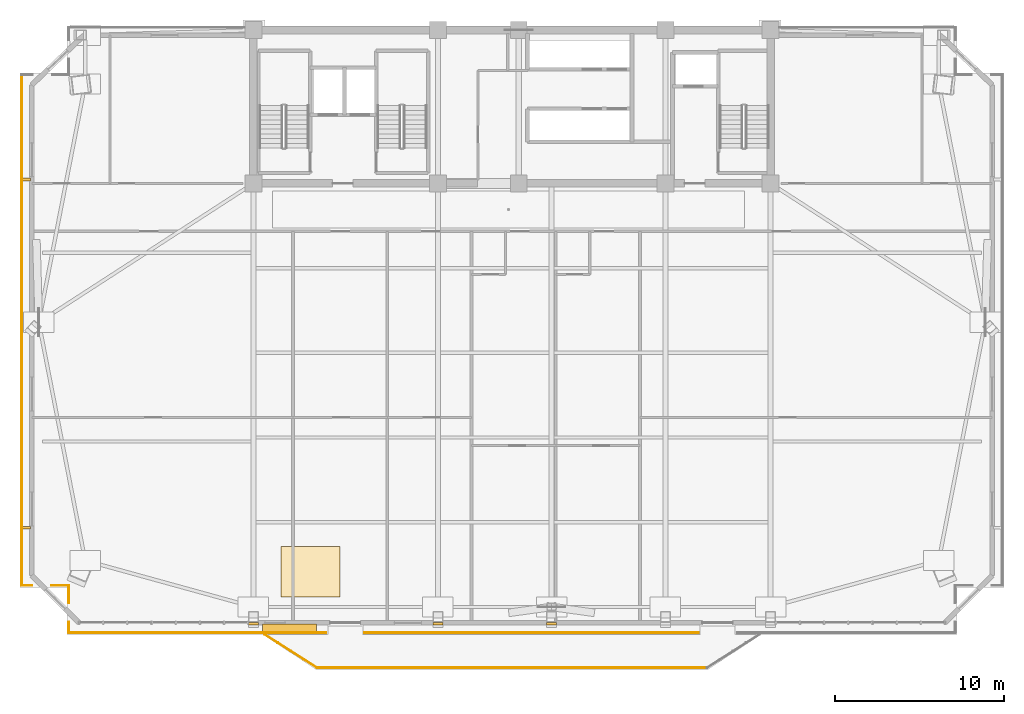
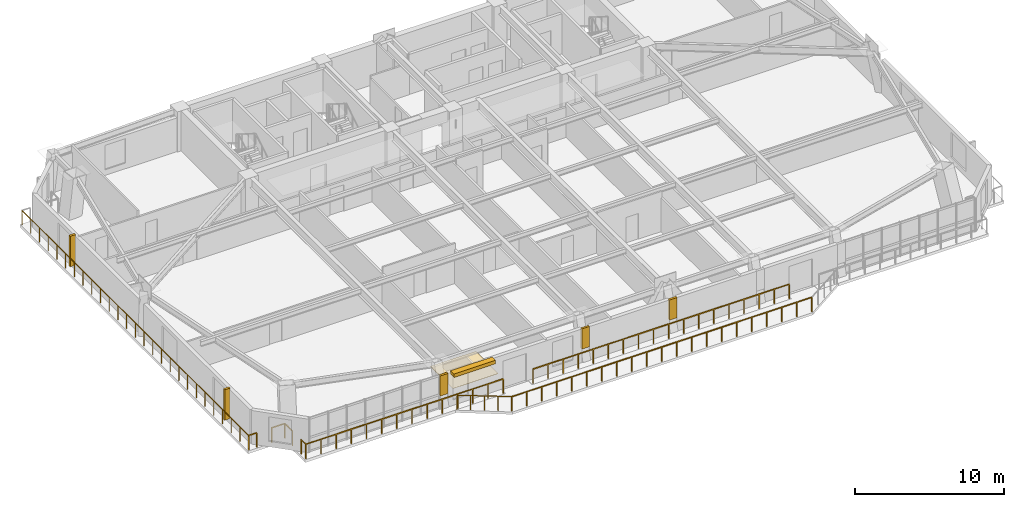
# One storey, part 12 of 16: 9 railings, 4 coverings, 3 shading devices.
"""IFC4 building model written with IfcOpenShell, lengths in metres."""

from ifc_helpers import new_model, si_unit, direction, frame, origin, origin_2d, place, context, subcontext, project, spatial, polyline, rectangle, outline, extrude, source, transform, mapped, material, layer, layer_set, type_object, element, save


model = new_model("IFC4")

# Units and contexts
model_context = context("Model", 3, precision=1e-05, world=origin(), true_north=direction((0.0, 1.0)))
body_context = subcontext(model_context, "Body", "Model", "MODEL_VIEW")
ifc_project = project(units=[si_unit("LENGTHUNIT", "METRE"), si_unit("AREAUNIT", "SQUARE_METRE"), si_unit("VOLUMEUNIT", "CUBIC_METRE"), si_unit("PLANEANGLEUNIT", "RADIAN"), si_unit("MASSUNIT", "GRAM", prefix="KILO")], contexts=[model_context])

# Site, building, storey
site_placement = place(None, origin())
site = spatial("IfcSite", under=ifc_project, at=site_placement, CompositionType="ELEMENT")
building_placement = place(site_placement, origin())
building = spatial("IfcBuilding", under=site, at=building_placement, Name="Giltprow Tower", CompositionType="ELEMENT")
storey_placement = place(building_placement, frame((0.0, 0.0, 209.699951171875)))
storey = spatial("IfcBuildingStorey", under=building, at=storey_placement, Name="L53", CompositionType="ELEMENT", Elevation=209.699951171875)

# Coverings
ifc_material_1 = material(Name="Engineered oak", Category="wood")
ifc_layer_1 = layer(ifc_material_1, 0.02490234375, Name="Engineered oak")
ifc_layer_set_1 = layer_set([ifc_layer_1], Name="Engineered oak")
covering_type_1 = type_object("IfcCoveringType", Name="COV-FLR-TIMBER", PredefinedType="FLOORING", material=ifc_layer_set_1)
covering_1_placement = place(storey_placement, origin())
element("IfcCovering", 1, at=covering_1_placement, inside=storey, type_object=covering_type_1, Name="L53 Engineered Oak Guestroom Flooring", PredefinedType="FLOORING", context=body_context, shape_type="SweptSolid", body=[
    extrude(outline(polyline([(21.5, 12.91796875), (25.0, 12.91796875), (25.0, 15.91796875), (21.5, 15.91796875), (21.5, 12.91796875)])), origin(), (0.0, 0.0, 1.0), 0.025146484375),
])
ifc_material_2 = material(Name="Anodized bronze", Category="metal")
ifc_layer_2 = layer(ifc_material_2, 0.0400390625, Name="Anodized bronze")
ifc_layer_set_2 = layer_set([ifc_layer_2], Name="Anodized bronze")
covering_type_2 = type_object("IfcCoveringType", Name="COV-SOFFIT-BRONZE", PredefinedType="CLADDING", material=ifc_layer_set_2)
covering_2_placement = place(storey_placement, frame((0.0, 0.0, 1.10009765625)))
element("IfcCovering", 2, at=covering_2_placement, inside=storey, type_object=covering_type_2, Name="L53 Setback Pier Closure Cladding S-1", PredefinedType="CLADDING", context=body_context, shape_type="SweptSolid", body=[
    extrude(outline(polyline([(19.550048828125, 11.24609375), (20.14990234375, 11.24609375), (20.14990234375, 11.406005859375), (19.550048828125, 11.406005859375), (19.550048828125, 11.24609375)])), origin(), (0.0, 0.0, 1.0), 1.64990234375),
])
covering_3_placement = place(storey_placement, frame((0.0, 0.0, 1.10009765625)))
element("IfcCovering", 3, at=covering_3_placement, inside=storey, type_object=covering_type_2, Name="L53 Setback Pier Closure Cladding S-2", PredefinedType="CLADDING", context=body_context, shape_type="SweptSolid", body=[
    extrude(outline(polyline([(30.5, 11.24609375), (31.10009765625, 11.24609375), (31.10009765625, 11.406005859375), (30.5, 11.406005859375), (30.5, 11.24609375)])), origin(), (0.0, 0.0, 1.0), 1.64990234375),
])
covering_4_placement = place(storey_placement, frame((0.0, 0.0, 1.10009765625)))
element("IfcCovering", 4, at=covering_4_placement, inside=storey, type_object=covering_type_2, Name="L53 Setback Pier Closure Cladding S-3", PredefinedType="CLADDING", context=body_context, shape_type="SweptSolid", body=[
    extrude(outline(polyline([(37.25, 11.24609375), (37.85009765625, 11.24609375), (37.85009765625, 11.406005859375), (37.25, 11.406005859375), (37.25, 11.24609375)])), origin(), (0.0, 0.0, 1.0), 1.64990234375),
])

# Railings
railing_type = type_object("IfcRailingType", Name="RAIL-BALC-GUARD-1200", PredefinedType="BALUSTRADE", material=ifc_material_2)
railing_1_placement = place(storey_placement, frame((20.52001953125, 10.68603515625, 0.0)))
element("IfcRailing", 5, at=railing_1_placement, inside=storey, type_object=railing_type, Name="L53 Waterfront Balcony Balustrade Seg 1", PredefinedType="BALUSTRADE", context=body_context, shape_type="SweptSolid", body=[
    extrude(rectangle(XDim=0.048095703125, YDim=0.048095703125, at=origin_2d()), frame((0.0, 0.0, 1.17578125), z_axis=(0.84277487735, -0.538266203757, 0.0), x_axis=(0.538266203757, 0.84277487735, 0.0)), (0.0, 0.0, 1.0), 3.678466796875),
    extrude(rectangle(XDim=0.0419921875, YDim=0.0419921875, at=origin_2d()), origin(), (0.0, 0.0, 1.0), 1.15185546875),
    extrude(rectangle(XDim=0.0419921875, YDim=0.0419921875, at=origin_2d()), frame((0.77490234375, -0.4951171875, 0.0)), (0.0, 0.0, 1.0), 1.15185546875),
    extrude(rectangle(XDim=0.0419921875, YDim=0.0419921875, at=origin_2d()), frame((1.550048828125, -0.989990234375, 0.0)), (0.0, 0.0, 1.0), 1.15185546875),
    extrude(rectangle(XDim=0.0419921875, YDim=0.0419921875, at=origin_2d()), frame((2.3251953125, -1.48486328125, 0.0)), (0.0, 0.0, 1.0), 1.15185546875),
    extrude(rectangle(XDim=0.0419921875, YDim=0.0419921875, at=origin_2d()), frame((3.10009765625, -1.97998046875, 0.0)), (0.0, 0.0, 1.0), 1.15185546875),
])
railing_2_placement = place(storey_placement, frame((23.6201171875, 8.7060546875, 0.0)))
element("IfcRailing", 6, at=railing_2_placement, inside=storey, type_object=railing_type, Name="L53 Waterfront Balcony Balustrade Seg 2", PredefinedType="BALUSTRADE", context=body_context, shape_type="SweptSolid", body=[
    extrude(rectangle(XDim=0.048095703125, YDim=0.048095703125, at=origin_2d()), frame((0.0, 0.0, 1.17578125), z_axis=(1.0, 0.0, 0.0), x_axis=(0.0, 1.0, 0.0)), (0.0, 0.0, 1.0), 23.159912109375),
    extrude(rectangle(XDim=0.0419921875, YDim=0.0419921875, at=origin_2d()), origin(), (0.0, 0.0, 1.0), 1.15185546875),
    extrude(rectangle(XDim=0.0419921875, YDim=0.0419921875, at=origin_2d()), frame((1.157958984375, 0.0, 0.0)), (0.0, 0.0, 1.0), 1.15185546875),
    extrude(rectangle(XDim=0.0419921875, YDim=0.0419921875, at=origin_2d()), frame((2.31591796875, 0.0, 0.0)), (0.0, 0.0, 1.0), 1.15185546875),
    extrude(rectangle(XDim=0.0419921875, YDim=0.0419921875, at=origin_2d()), frame((3.473876953125, 0.0, 0.0)), (0.0, 0.0, 1.0), 1.15185546875),
    extrude(rectangle(XDim=0.0419921875, YDim=0.0419921875, at=origin_2d()), frame((4.632080078125, 0.0, 0.0)), (0.0, 0.0, 1.0), 1.15185546875),
    extrude(rectangle(XDim=0.0419921875, YDim=0.0419921875, at=origin_2d()), frame((5.7900390625, 0.0, 0.0)), (0.0, 0.0, 1.0), 1.15185546875),
    extrude(rectangle(XDim=0.0419921875, YDim=0.0419921875, at=origin_2d()), frame((6.947998046875, 0.0, 0.0)), (0.0, 0.0, 1.0), 1.15185546875),
    extrude(rectangle(XDim=0.0419921875, YDim=0.0419921875, at=origin_2d()), frame((8.10595703125, 0.0, 0.0)), (0.0, 0.0, 1.0), 1.15185546875),
    extrude(rectangle(XDim=0.0419921875, YDim=0.0419921875, at=origin_2d()), frame((9.263916015625, 0.0, 0.0)), (0.0, 0.0, 1.0), 1.15185546875),
    extrude(rectangle(XDim=0.0419921875, YDim=0.0419921875, at=origin_2d()), frame((10.421875, 0.0, 0.0)), (0.0, 0.0, 1.0), 1.15185546875),
    extrude(rectangle(XDim=0.0419921875, YDim=0.0419921875, at=origin_2d()), frame((11.580078125, 0.0, 0.0)), (0.0, 0.0, 1.0), 1.15185546875),
    extrude(rectangle(XDim=0.0419921875, YDim=0.0419921875, at=origin_2d()), frame((12.738037109375, 0.0, 0.0)), (0.0, 0.0, 1.0), 1.15185546875),
    extrude(rectangle(XDim=0.0419921875, YDim=0.0419921875, at=origin_2d()), frame((13.89599609375, 0.0, 0.0)), (0.0, 0.0, 1.0), 1.15185546875),
    extrude(rectangle(XDim=0.0419921875, YDim=0.0419921875, at=origin_2d()), frame((15.053955078125, 0.0, 0.0)), (0.0, 0.0, 1.0), 1.15185546875),
    extrude(rectangle(XDim=0.0419921875, YDim=0.0419921875, at=origin_2d()), frame((16.2119140625, 0.0, 0.0)), (0.0, 0.0, 1.0), 1.15185546875),
    extrude(rectangle(XDim=0.0419921875, YDim=0.0419921875, at=origin_2d()), frame((17.369873046875, 0.0, 0.0)), (0.0, 0.0, 1.0), 1.15185546875),
    extrude(rectangle(XDim=0.0419921875, YDim=0.0419921875, at=origin_2d()), frame((18.52783203125, 0.0, 0.0)), (0.0, 0.0, 1.0), 1.15185546875),
    extrude(rectangle(XDim=0.0419921875, YDim=0.0419921875, at=origin_2d()), frame((19.68603515625, 0.0, 0.0)), (0.0, 0.0, 1.0), 1.15185546875),
    extrude(rectangle(XDim=0.0419921875, YDim=0.0419921875, at=origin_2d()), frame((20.843994140625, 0.0, 0.0)), (0.0, 0.0, 1.0), 1.15185546875),
    extrude(rectangle(XDim=0.0419921875, YDim=0.0419921875, at=origin_2d()), frame((22.001953125, 0.0, 0.0)), (0.0, 0.0, 1.0), 1.15185546875),
    extrude(rectangle(XDim=0.0419921875, YDim=0.0419921875, at=origin_2d()), frame((23.159912109375, 0.0, 0.0)), (0.0, 0.0, 1.0), 1.15185546875),
])
railing_3_placement = place(storey_placement, frame((46.25, 10.785888671875, 0.0)))
element("IfcRailing", 7, at=railing_3_placement, inside=storey, type_object=railing_type, Name="L53 Corner Apron Edge Balustrade 7", PredefinedType="BALUSTRADE", context=body_context, shape_type="SweptSolid", body=[
    extrude(rectangle(XDim=0.048095703125, YDim=0.048095703125, at=origin_2d()), frame((0.0, 0.0, 1.17578125), z_axis=(-1.0, 0.0, 0.0), x_axis=(0.0, -1.0, 0.0)), (0.0, 0.0, 1.0), 19.800048828125),
    extrude(rectangle(XDim=0.0419921875, YDim=0.0419921875, at=origin_2d()), origin(), (0.0, 0.0, 1.0), 1.15185546875),
    extrude(rectangle(XDim=0.0419921875, YDim=0.0419921875, at=origin_2d()), frame((-1.164794921875, 0.0, 0.0)), (0.0, 0.0, 1.0), 1.15185546875),
    extrude(rectangle(XDim=0.0419921875, YDim=0.0419921875, at=origin_2d()), frame((-2.329345703125, 0.0, 0.0)), (0.0, 0.0, 1.0), 1.15185546875),
    extrude(rectangle(XDim=0.0419921875, YDim=0.0419921875, at=origin_2d()), frame((-3.494140625, 0.0, 0.0)), (0.0, 0.0, 1.0), 1.15185546875),
    extrude(rectangle(XDim=0.0419921875, YDim=0.0419921875, at=origin_2d()), frame((-4.658935546875, 0.0, 0.0)), (0.0, 0.0, 1.0), 1.15185546875),
    extrude(rectangle(XDim=0.0419921875, YDim=0.0419921875, at=origin_2d()), frame((-5.823486328125, 0.0, 0.0)), (0.0, 0.0, 1.0), 1.15185546875),
    extrude(rectangle(XDim=0.0419921875, YDim=0.0419921875, at=origin_2d()), frame((-6.98828125, 0.0, 0.0)), (0.0, 0.0, 1.0), 1.15185546875),
    extrude(rectangle(XDim=0.0419921875, YDim=0.0419921875, at=origin_2d()), frame((-8.153076171875, 0.0, 0.0)), (0.0, 0.0, 1.0), 1.15185546875),
    extrude(rectangle(XDim=0.0419921875, YDim=0.0419921875, at=origin_2d()), frame((-9.317626953125, 0.0, 0.0)), (0.0, 0.0, 1.0), 1.15185546875),
    extrude(rectangle(XDim=0.0419921875, YDim=0.0419921875, at=origin_2d()), frame((-10.482421875, 0.0, 0.0)), (0.0, 0.0, 1.0), 1.15185546875),
    extrude(rectangle(XDim=0.0419921875, YDim=0.0419921875, at=origin_2d()), frame((-11.64697265625, 0.0, 0.0)), (0.0, 0.0, 1.0), 1.15185546875),
    extrude(rectangle(XDim=0.0419921875, YDim=0.0419921875, at=origin_2d()), frame((-12.811767578125, 0.0, 0.0)), (0.0, 0.0, 1.0), 1.15185546875),
    extrude(rectangle(XDim=0.0419921875, YDim=0.0419921875, at=origin_2d()), frame((-13.9765625, 0.0, 0.0)), (0.0, 0.0, 1.0), 1.15185546875),
    extrude(rectangle(XDim=0.0419921875, YDim=0.0419921875, at=origin_2d()), frame((-15.14111328125, 0.0, 0.0)), (0.0, 0.0, 1.0), 1.15185546875),
    extrude(rectangle(XDim=0.0419921875, YDim=0.0419921875, at=origin_2d()), frame((-16.305908203125, 0.0, 0.0)), (0.0, 0.0, 1.0), 1.15185546875),
    extrude(rectangle(XDim=0.0419921875, YDim=0.0419921875, at=origin_2d()), frame((-17.470703125, 0.0, 0.0)), (0.0, 0.0, 1.0), 1.15185546875),
    extrude(rectangle(XDim=0.0419921875, YDim=0.0419921875, at=origin_2d()), frame((-18.63525390625, 0.0, 0.0)), (0.0, 0.0, 1.0), 1.15185546875),
    extrude(rectangle(XDim=0.0419921875, YDim=0.0419921875, at=origin_2d()), frame((-19.800048828125, 0.0, 0.0)), (0.0, 0.0, 1.0), 1.15185546875),
])
railing_4_placement = place(storey_placement, frame((24.14990234375, 10.785888671875, 0.0)))
element("IfcRailing", 8, at=railing_4_placement, inside=storey, type_object=railing_type, Name="L53 Corner Apron Edge Balustrade 8", PredefinedType="BALUSTRADE", context=body_context, shape_type="SweptSolid", body=[
    extrude(rectangle(XDim=0.048095703125, YDim=0.048095703125, at=origin_2d()), frame((0.0, 0.0, 1.17578125), z_axis=(-1.0, 0.0, 0.0), x_axis=(0.0, -1.0, 0.0)), (0.0, 0.0, 1.0), 15.246826171875),
    extrude(rectangle(XDim=0.0419921875, YDim=0.0419921875, at=origin_2d()), origin(), (0.0, 0.0, 1.0), 1.15185546875),
    extrude(rectangle(XDim=0.0419921875, YDim=0.0419921875, at=origin_2d()), frame((-1.1728515625, 0.0, 0.0)), (0.0, 0.0, 1.0), 1.15185546875),
    extrude(rectangle(XDim=0.0419921875, YDim=0.0419921875, at=origin_2d()), frame((-2.345703125, 0.0, 0.0)), (0.0, 0.0, 1.0), 1.15185546875),
    extrude(rectangle(XDim=0.0419921875, YDim=0.0419921875, at=origin_2d()), frame((-3.5185546875, 0.0, 0.0)), (0.0, 0.0, 1.0), 1.15185546875),
    extrude(rectangle(XDim=0.0419921875, YDim=0.0419921875, at=origin_2d()), frame((-4.69140625, 0.0, 0.0)), (0.0, 0.0, 1.0), 1.15185546875),
    extrude(rectangle(XDim=0.0419921875, YDim=0.0419921875, at=origin_2d()), frame((-5.8642578125, 0.0, 0.0)), (0.0, 0.0, 1.0), 1.15185546875),
    extrude(rectangle(XDim=0.0419921875, YDim=0.0419921875, at=origin_2d()), frame((-7.037109375, 0.0, 0.0)), (0.0, 0.0, 1.0), 1.15185546875),
    extrude(rectangle(XDim=0.0419921875, YDim=0.0419921875, at=origin_2d()), frame((-8.209716796875, 0.0, 0.0)), (0.0, 0.0, 1.0), 1.15185546875),
    extrude(rectangle(XDim=0.0419921875, YDim=0.0419921875, at=origin_2d()), frame((-9.382568359375, 0.0, 0.0)), (0.0, 0.0, 1.0), 1.15185546875),
    extrude(rectangle(XDim=0.0419921875, YDim=0.0419921875, at=origin_2d()), frame((-10.555419921875, 0.0, 0.0)), (0.0, 0.0, 1.0), 1.15185546875),
    extrude(rectangle(XDim=0.0419921875, YDim=0.0419921875, at=origin_2d()), frame((-11.728271484375, 0.0, 0.0)), (0.0, 0.0, 1.0), 1.15185546875),
    extrude(rectangle(XDim=0.0419921875, YDim=0.0419921875, at=origin_2d()), frame((-12.901123046875, 0.0, 0.0)), (0.0, 0.0, 1.0), 1.15185546875),
    extrude(rectangle(XDim=0.0419921875, YDim=0.0419921875, at=origin_2d()), frame((-14.073974609375, 0.0, 0.0)), (0.0, 0.0, 1.0), 1.15185546875),
    extrude(rectangle(XDim=0.0419921875, YDim=0.0419921875, at=origin_2d()), frame((-15.246826171875, 0.0, 0.0)), (0.0, 0.0, 1.0), 1.15185546875),
])
railing_5_placement = place(storey_placement, frame((8.903076171875, 10.785888671875, 0.0)))
element("IfcRailing", 9, at=railing_5_placement, inside=storey, type_object=railing_type, Name="L53 Corner Apron Edge Balustrade 9", PredefinedType="BALUSTRADE", context=body_context, shape_type="SweptSolid", body=[
    extrude(rectangle(XDim=0.048095703125, YDim=0.048095703125, at=origin_2d()), frame((0.0, 0.0, 1.17578125), z_axis=(0.0, 1.0, 0.0), x_axis=(-1.0, 0.0, 0.0)), (0.0, 0.0, 1.0), 0.6201171875),
    extrude(rectangle(XDim=0.0419921875, YDim=0.0419921875, at=origin_2d()), origin(), (0.0, 0.0, 1.0), 1.15185546875),
    extrude(rectangle(XDim=0.0419921875, YDim=0.0419921875, at=origin_2d()), frame((0.0, 0.6201171875, 0.0)), (0.0, 0.0, 1.0), 1.15185546875),
])
railing_6_placement = place(storey_placement, frame((8.903076171875, 12.56591796875, 0.0)))
element("IfcRailing", 10, at=railing_6_placement, inside=storey, type_object=railing_type, Name="L53 Corner Apron Edge Balustrade 10", PredefinedType="BALUSTRADE", context=body_context, shape_type="SweptSolid", body=[
    extrude(rectangle(XDim=0.048095703125, YDim=0.048095703125, at=origin_2d()), frame((0.0, 0.0, 1.17578125), z_axis=(0.0, 1.0, 0.0), x_axis=(-1.0, 0.0, 0.0)), (0.0, 0.0, 1.0), 1.02001953125),
    extrude(rectangle(XDim=0.0419921875, YDim=0.0419921875, at=origin_2d()), origin(), (0.0, 0.0, 1.0), 1.15185546875),
    extrude(rectangle(XDim=0.0419921875, YDim=0.0419921875, at=origin_2d()), frame((0.0, 1.02001953125, 0.0)), (0.0, 0.0, 1.0), 1.15185546875),
])
railing_7_placement = place(storey_placement, frame((8.903076171875, 13.5859375, 0.0)))
element("IfcRailing", 11, at=railing_7_placement, inside=storey, type_object=railing_type, Name="L53 Corner Apron Edge Balustrade 11", PredefinedType="BALUSTRADE", context=body_context, shape_type="SweptSolid", body=[
    extrude(rectangle(XDim=0.048095703125, YDim=0.048095703125, at=origin_2d()), frame((0.0, 0.0, 1.17578125), z_axis=(-1.0, 0.0, 0.0), x_axis=(0.0, -1.0, 0.0)), (0.0, 0.0, 1.0), 1.02001953125),
    extrude(rectangle(XDim=0.0419921875, YDim=0.0419921875, at=origin_2d()), origin(), (0.0, 0.0, 1.0), 1.15185546875),
    extrude(rectangle(XDim=0.0419921875, YDim=0.0419921875, at=origin_2d()), frame((-1.02001953125, 0.0, 0.0)), (0.0, 0.0, 1.0), 1.15185546875),
])
railing_8_placement = place(storey_placement, frame((6.722900390625, 13.5859375, 0.0)))
element("IfcRailing", 12, at=railing_8_placement, inside=storey, type_object=railing_type, Name="L53 Corner Apron Edge Balustrade 12", PredefinedType="BALUSTRADE", context=body_context, shape_type="SweptSolid", body=[
    extrude(rectangle(XDim=0.048095703125, YDim=0.048095703125, at=origin_2d()), frame((0.0, 0.0, 1.17578125), z_axis=(-1.0, 0.0, 0.0), x_axis=(0.0, -1.0, 0.0)), (0.0, 0.0, 1.0), 0.619873046875),
    extrude(rectangle(XDim=0.0419921875, YDim=0.0419921875, at=origin_2d()), origin(), (0.0, 0.0, 1.0), 1.15185546875),
    extrude(rectangle(XDim=0.0419921875, YDim=0.0419921875, at=origin_2d()), frame((-0.619873046875, 0.0, 0.0)), (0.0, 0.0, 1.0), 1.15185546875),
])
railing_9_placement = place(storey_placement, frame((6.10302734375, 13.5859375, 0.0)))
element("IfcRailing", 13, at=railing_9_placement, inside=storey, type_object=railing_type, Name="L53 Corner Apron Edge Balustrade 13", PredefinedType="BALUSTRADE", context=body_context, shape_type="SweptSolid", body=[
    extrude(rectangle(XDim=0.048095703125, YDim=0.048095703125, at=origin_2d()), frame((0.0, 0.0, 1.17578125), z_axis=(0.0, 1.0, 0.0), x_axis=(-1.0, 0.0, 0.0)), (0.0, 0.0, 1.0), 30.31396484375),
    extrude(rectangle(XDim=0.0419921875, YDim=0.0419921875, at=origin_2d()), origin(), (0.0, 0.0, 1.0), 1.15185546875),
    extrude(rectangle(XDim=0.0419921875, YDim=0.0419921875, at=origin_2d()), frame((0.0, 1.166015625, 0.0)), (0.0, 0.0, 1.0), 1.15185546875),
    extrude(rectangle(XDim=0.0419921875, YDim=0.0419921875, at=origin_2d()), frame((0.0, 2.331787109375, 0.0)), (0.0, 0.0, 1.0), 1.15185546875),
    extrude(rectangle(XDim=0.0419921875, YDim=0.0419921875, at=origin_2d()), frame((0.0, 3.497802734375, 0.0)), (0.0, 0.0, 1.0), 1.15185546875),
    extrude(rectangle(XDim=0.0419921875, YDim=0.0419921875, at=origin_2d()), frame((0.0, 4.66357421875, 0.0)), (0.0, 0.0, 1.0), 1.15185546875),
    extrude(rectangle(XDim=0.0419921875, YDim=0.0419921875, at=origin_2d()), frame((0.0, 5.82958984375, 0.0)), (0.0, 0.0, 1.0), 1.15185546875),
    extrude(rectangle(XDim=0.0419921875, YDim=0.0419921875, at=origin_2d()), frame((0.0, 6.99560546875, 0.0)), (0.0, 0.0, 1.0), 1.15185546875),
    extrude(rectangle(XDim=0.0419921875, YDim=0.0419921875, at=origin_2d()), frame((0.0, 8.161376953125, 0.0)), (0.0, 0.0, 1.0), 1.15185546875),
    extrude(rectangle(XDim=0.0419921875, YDim=0.0419921875, at=origin_2d()), frame((0.0, 9.327392578125, 0.0)), (0.0, 0.0, 1.0), 1.15185546875),
    extrude(rectangle(XDim=0.0419921875, YDim=0.0419921875, at=origin_2d()), frame((0.0, 10.493408203125, 0.0)), (0.0, 0.0, 1.0), 1.15185546875),
    extrude(rectangle(XDim=0.0419921875, YDim=0.0419921875, at=origin_2d()), frame((0.0, 11.6591796875, 0.0)), (0.0, 0.0, 1.0), 1.15185546875),
    extrude(rectangle(XDim=0.0419921875, YDim=0.0419921875, at=origin_2d()), frame((0.0, 12.8251953125, 0.0)), (0.0, 0.0, 1.0), 1.15185546875),
    extrude(rectangle(XDim=0.0419921875, YDim=0.0419921875, at=origin_2d()), frame((0.0, 13.990966796875, 0.0)), (0.0, 0.0, 1.0), 1.15185546875),
    extrude(rectangle(XDim=0.0419921875, YDim=0.0419921875, at=origin_2d()), frame((0.0, 15.156982421875, 0.0)), (0.0, 0.0, 1.0), 1.15185546875),
    extrude(rectangle(XDim=0.0419921875, YDim=0.0419921875, at=origin_2d()), frame((0.0, 16.322998046875, 0.0)), (0.0, 0.0, 1.0), 1.15185546875),
    extrude(rectangle(XDim=0.0419921875, YDim=0.0419921875, at=origin_2d()), frame((0.0, 17.48876953125, 0.0)), (0.0, 0.0, 1.0), 1.15185546875),
    extrude(rectangle(XDim=0.0419921875, YDim=0.0419921875, at=origin_2d()), frame((0.0, 18.65478515625, 0.0)), (0.0, 0.0, 1.0), 1.15185546875),
    extrude(rectangle(XDim=0.0419921875, YDim=0.0419921875, at=origin_2d()), frame((0.0, 19.820556640625, 0.0)), (0.0, 0.0, 1.0), 1.15185546875),
    extrude(rectangle(XDim=0.0419921875, YDim=0.0419921875, at=origin_2d()), frame((0.0, 20.986572265625, 0.0)), (0.0, 0.0, 1.0), 1.15185546875),
    extrude(rectangle(XDim=0.0419921875, YDim=0.0419921875, at=origin_2d()), frame((0.0, 22.152587890625, 0.0)), (0.0, 0.0, 1.0), 1.15185546875),
    extrude(rectangle(XDim=0.0419921875, YDim=0.0419921875, at=origin_2d()), frame((0.0, 23.318359375, 0.0)), (0.0, 0.0, 1.0), 1.15185546875),
    extrude(rectangle(XDim=0.0419921875, YDim=0.0419921875, at=origin_2d()), frame((0.0, 24.484375, 0.0)), (0.0, 0.0, 1.0), 1.15185546875),
    extrude(rectangle(XDim=0.0419921875, YDim=0.0419921875, at=origin_2d()), frame((0.0, 25.650390625, 0.0)), (0.0, 0.0, 1.0), 1.15185546875),
    extrude(rectangle(XDim=0.0419921875, YDim=0.0419921875, at=origin_2d()), frame((0.0, 26.816162109375, 0.0)), (0.0, 0.0, 1.0), 1.15185546875),
    extrude(rectangle(XDim=0.0419921875, YDim=0.0419921875, at=origin_2d()), frame((0.0, 27.982177734375, 0.0)), (0.0, 0.0, 1.0), 1.15185546875),
    extrude(rectangle(XDim=0.0419921875, YDim=0.0419921875, at=origin_2d()), frame((0.0, 29.14794921875, 0.0)), (0.0, 0.0, 1.0), 1.15185546875),
    extrude(rectangle(XDim=0.0419921875, YDim=0.0419921875, at=origin_2d()), frame((0.0, 30.31396484375, 0.0)), (0.0, 0.0, 1.0), 1.15185546875),
])

# Shading devices
shading_device_type_1 = type_object("IfcShadingDeviceType", Name="SHD-FIN-420", PredefinedType="USERDEFINED", material=ifc_material_2)
shared_shape_1 = source(origin(), body_context, "Body", "SweptSolid", [
    extrude(rectangle(XDim=0.419921875, YDim=0.159912109375, at=origin_2d()), origin(), (0.0, 0.0, 1.0), 2.5),
])
for number, where, z_axis, x_axis, name in (
    (14, (6.403076171875, 17.012939453125, 0.35009765625), (0.0, 0.0, 1.0), (1.0, 0.0, 0.0), "L53 W Bronze Vertical Fin 1-1"),
    (15, (6.403076171875, 37.68310546875, 0.35009765625), (0.0, 0.0, 1.0), (1.0, 0.0, 0.0), "L53 W Bronze Vertical Fin 2-1"),
):
    element("IfcShadingDevice", number, at=place(storey_placement, frame(where, z_axis=z_axis, x_axis=x_axis)), inside=storey, type_object=shading_device_type_1, Name=name, ObjectType="FIN", PredefinedType="USERDEFINED", context=body_context, shape_type="MappedRepresentation", body=[
        mapped(shared_shape_1, transform((0.0, 0.0, 0.0), x_axis=(1.0, 0.0, 0.0), y_axis=(0.0, 1.0, 0.0), z_axis=(0.0, 0.0, 1.0), scale=1.0)),
    ])
shading_device_type_2 = type_object("IfcShadingDeviceType", Name="SHD-LOUVRE-320", PredefinedType="JALOUSIE", material=ifc_material_2)
shared_shape_2 = source(origin(), body_context, "Body", "SweptSolid", [
    extrude(rectangle(XDim=3.199951171875, YDim=0.449951171875, at=origin_2d()), origin(), (0.0, 0.0, 1.0), 0.280029296875),
])
shading_device_placement = place(storey_placement, frame((22.0, 11.0859375, 2.56005859375), z_axis=(0.0, 0.0, 1.0), x_axis=(1.0, 0.0, 0.0)))
element("IfcShadingDevice", 16, at=shading_device_placement, inside=storey, type_object=shading_device_type_2, Name="L53 Bronze Sunshade Louvre S-2", PredefinedType="JALOUSIE", context=body_context, shape_type="MappedRepresentation", body=[
    mapped(shared_shape_2, transform((0.0, 0.0, 0.0), x_axis=(1.0, 0.0, 0.0), y_axis=(0.0, 1.0, 0.0), z_axis=(0.0, 0.0, 1.0), scale=1.0)),
])

save(model, "model.ifc")
